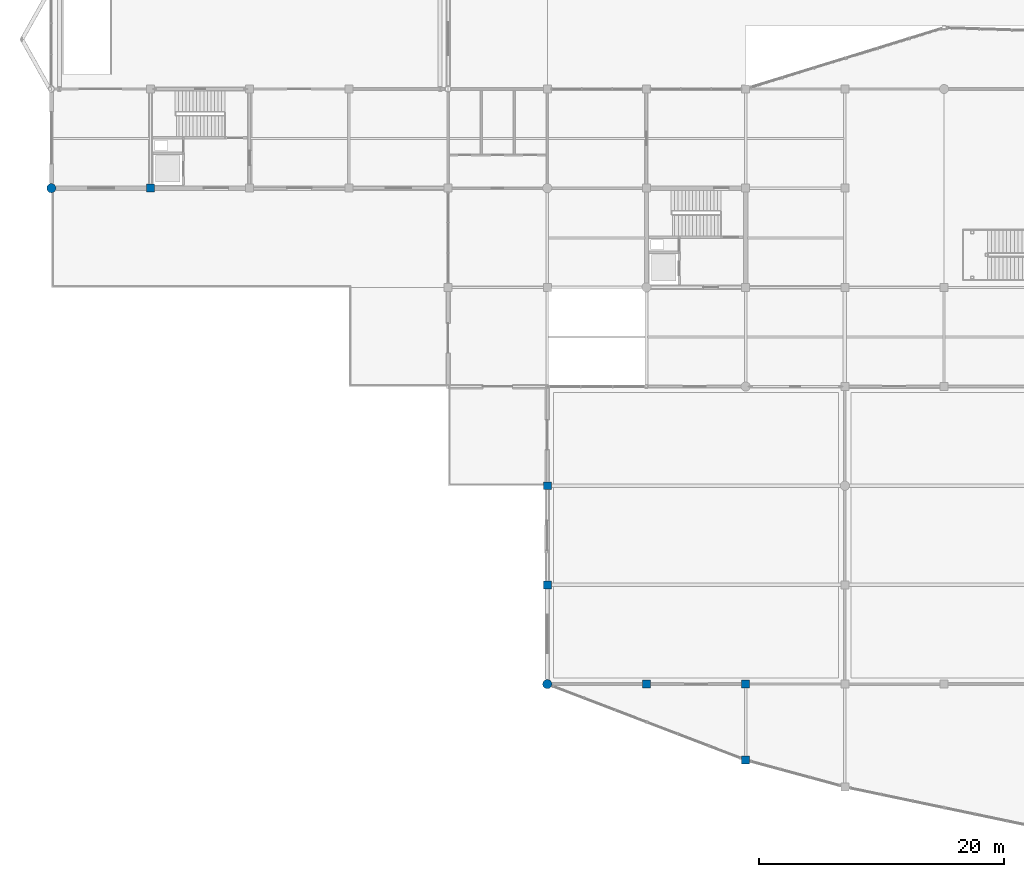
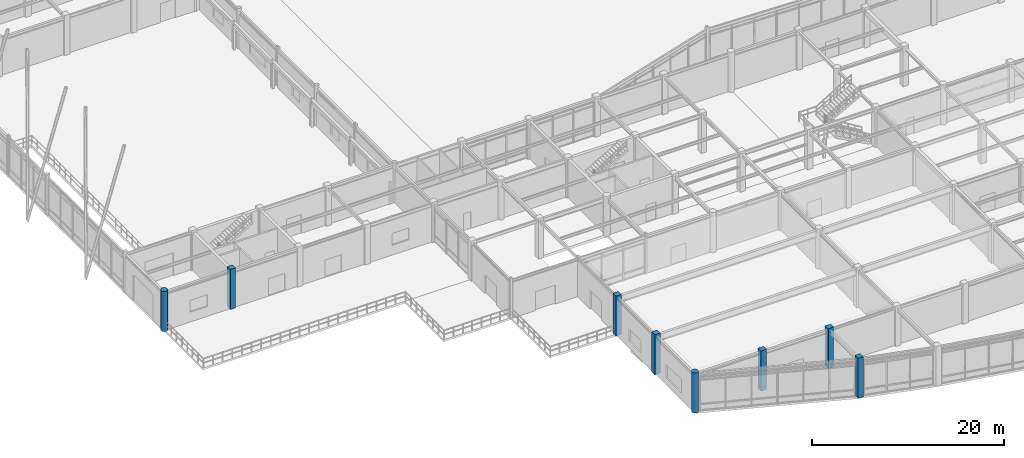
# One storey, part 1 of 99: 8 columns.
"""IFC4 building model written with IfcOpenShell, lengths in metres."""

from ifc_helpers import new_model, si_unit, direction, frame, origin, origin_2d, place, context, subcontext, project, spatial, rectangle, circle, extrude, material, material_profile, profile_set, type_object, element, save


model = new_model("IFC4")

# Units and contexts
model_context = context("Model", 3, precision=1e-05, world=origin(), true_north=direction((0.0, 1.0)))
body_context = subcontext(model_context, "Body", "Model", "MODEL_VIEW")
ifc_project = project(units=[si_unit("LENGTHUNIT", "METRE"), si_unit("AREAUNIT", "SQUARE_METRE"), si_unit("VOLUMEUNIT", "CUBIC_METRE"), si_unit("PLANEANGLEUNIT", "RADIAN"), si_unit("MASSUNIT", "GRAM", prefix="KILO")], contexts=[model_context])

# Site, building, storey
site_placement = place(None, origin())
site = spatial("IfcSite", under=ifc_project, at=site_placement, CompositionType="ELEMENT")
building_placement = place(site_placement, origin())
building = spatial("IfcBuilding", under=site, at=building_placement, Name="Vaudrelin Polytechnic", CompositionType="ELEMENT")
storey_placement = place(building_placement, origin())
storey = spatial("IfcBuildingStorey", under=building, at=storey_placement, Name="L00", CompositionType="ELEMENT", Elevation=0.0)

# Columns
ifc_material_1 = material(Name="Concrete 40 MPa", Category="concrete")
ifc_material_profile_1 = material_profile(ifc_material_1, rectangle(XDim=0.64990234375, YDim=0.64990234375, at=origin_2d()), Name="RC650x650")
ifc_profile_set_1 = profile_set([ifc_material_profile_1], Name="Concrete 40 MPa")
column_type_1 = type_object("IfcColumnType", Name="COL-C-RC650", PredefinedType="COLUMN", material=ifc_profile_set_1)
for number, where, z_axis, x_axis, name in (
    (1, (8.10009765625, 40.5, 0.0), (0.0, 0.0, 1.0), (1.0, 0.0, 0.0), "Column L00 2-6"),
    (2, (40.5, 8.10009765625, 0.0), (0.0, 0.0, 1.0), (1.0, 0.0, 0.0), "Column L00 6-2"),
    (3, (40.5, 16.199951171875, 0.0), (0.0, 0.0, 1.0), (1.0, 0.0, 0.0), "Column L00 6-3"),
    (4, (48.60009765625, 0.0, 0.0), (0.0, 0.0, 1.0), (1.0, 0.0, 0.0), "Column L00 7-1"),
    (5, (56.699951171875, 0.0, 0.0), (0.0, 0.0, 1.0), (1.0, 0.0, 0.0), "Column L00 8-1"),
    (6, (56.699951171875, -6.199951171875, 0.0), (0.0, 0.0, 1.0), (1.0, 0.0, 0.0), "Deconstructivist column L00 V2P_7"),
):
    element("IfcColumn", number, at=place(storey_placement, frame(where, z_axis=z_axis, x_axis=x_axis)), inside=storey, type_object=column_type_1, Name=name, PredefinedType="COLUMN", context=body_context, shape_type="SweptSolid", body=[
        extrude(rectangle(XDim=0.64990234375, YDim=0.64990234375, at=origin_2d()), origin(), (0.0, 0.0, 1.0), 5.10009765625),
    ])
ifc_material_2 = material(Name="Concrete 50 MPa", Category="concrete")
ifc_material_profile_2 = material_profile(ifc_material_2, circle(Radius=0.375, at=origin_2d()), Name="RCCOL750")
ifc_profile_set_2 = profile_set([ifc_material_profile_2], Name="Concrete 50 MPa")
column_type_2 = type_object("IfcColumnType", Name="COL-C-RCD750", PredefinedType="COLUMN", material=ifc_profile_set_2)
for number, where, z_axis, x_axis, name in (
    (7, (0.0, 40.5, 0.0), (0.0, 0.0, 1.0), (1.0, 0.0, 0.0), "Column L00 1-6"),
    (8, (40.5, 0.0, 0.0), (0.0, 0.0, 1.0), (1.0, 0.0, 0.0), "Column L00 6-1"),
):
    element("IfcColumn", number, at=place(storey_placement, frame(where, z_axis=z_axis, x_axis=x_axis)), inside=storey, type_object=column_type_2, Name=name, PredefinedType="COLUMN", context=body_context, shape_type="SweptSolid", body=[
        extrude(circle(Radius=0.375, at=origin_2d()), origin(), (0.0, 0.0, 1.0), 5.10009765625),
    ])

save(model, "model.ifc")
